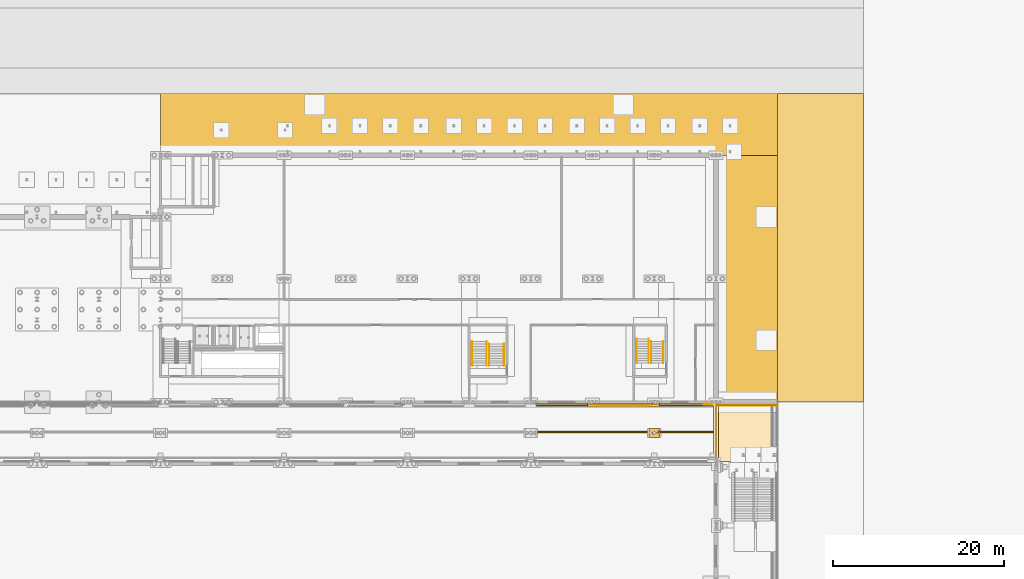
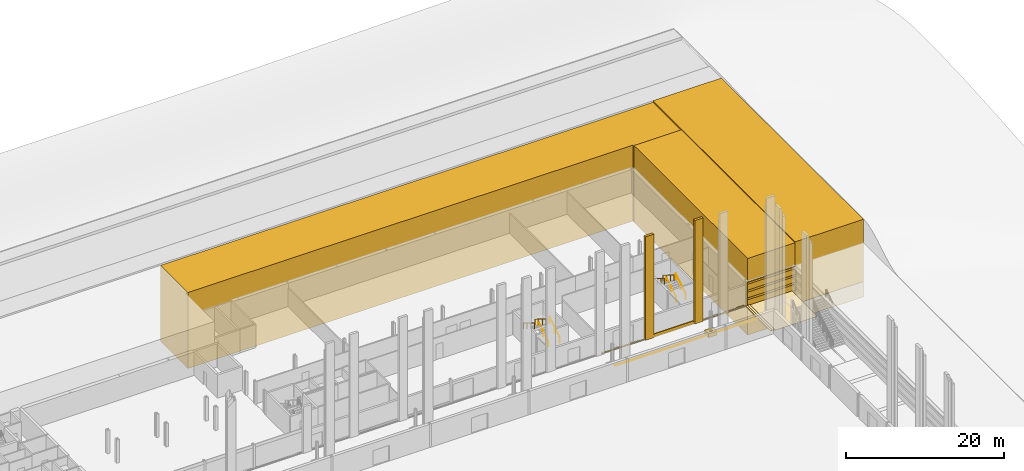
# One storey, part 143 of 148: 24 coverings, 8 railings.
"""IFC4 building model written with IfcOpenShell, lengths in metres."""

from ifc_helpers import new_model, si_unit, direction, frame, origin, origin_2d, place, context, subcontext, project, spatial, polyline, rectangle, circle, outline, extrude, material, layer, layer_set, type_object, element, save


model = new_model("IFC4")

# Units and contexts
model_context = context("Model", 3, precision=1e-05, world=origin(), true_north=direction((0.0, 1.0)))
body_context = subcontext(model_context, "Body", "Model", "MODEL_VIEW")
ifc_project = project(units=[si_unit("LENGTHUNIT", "METRE"), si_unit("AREAUNIT", "SQUARE_METRE"), si_unit("VOLUMEUNIT", "CUBIC_METRE"), si_unit("PLANEANGLEUNIT", "RADIAN"), si_unit("MASSUNIT", "GRAM", prefix="KILO")], contexts=[model_context])

# Site, building, storey
site_placement = place(None, origin())
site = spatial("IfcSite", under=ifc_project, at=site_placement, CompositionType="ELEMENT")
building_placement = place(site_placement, origin())
building = spatial("IfcBuilding", under=site, at=building_placement, Name="Kupolbacken Congress Centre", CompositionType="ELEMENT")
storey_placement = place(building_placement, origin())
storey = spatial("IfcBuildingStorey", under=building, at=storey_placement, Name="L00", CompositionType="ELEMENT", Elevation=0.0)

# Coverings
ifc_material_1 = material(Name="Limestone cladding", Category="masonry")
ifc_layer_1 = layer(ifc_material_1, 0.1201171875)
ifc_layer_set_1 = layer_set([ifc_layer_1], Name="Limestone cladding")
covering_type_1 = type_object("IfcCoveringType", Name="CV1 limestone cladding band 120", PredefinedType="CLADDING", material=ifc_layer_set_1)
covering_1_placement = place(storey_placement, frame((190.800048828125, 122.18994140625, 0.0), z_axis=(0.0, 0.0, 1.0), x_axis=(1.0, 0.0, 0.0)))
element("IfcCovering", 1, at=covering_1_placement, inside=storey, type_object=covering_type_1, Name="E/B/S/L00/014/band", PredefinedType="CLADDING", context=body_context, shape_type="SweptSolid", body=[
    extrude(rectangle(XDim=6.89990234375, YDim=0.1201171875, at=origin_2d()), origin(), (0.0, 0.0, 1.0), 0.300048828125),
])
covering_2_placement = place(storey_placement, frame((0.0, 0.0, 0.89990234375)))
element("IfcCovering", 2, at=covering_2_placement, inside=storey, type_object=covering_type_1, Name="Retaining wall facing, limestone course", PredefinedType="CLADDING", context=body_context, shape_type="SweptSolid", body=[
    extrude(outline(polyline([(201.60009765625, 121.97998046875), (201.60009765625, 122.10009765625), (208.669921875, 122.10009765625), (208.669921875, 121.97998046875), (201.60009765625, 121.97998046875)])), origin(), (0.0, 0.0, 1.0), 0.300048828125),
])
covering_3_placement = place(storey_placement, frame((0.0, 0.0, 2.10009765625)))
element("IfcCovering", 3, at=covering_3_placement, inside=storey, type_object=covering_type_1, Name="Retaining wall facing, limestone course", PredefinedType="CLADDING", context=body_context, shape_type="SweptSolid", body=[
    extrude(outline(polyline([(201.60009765625, 121.97998046875), (201.60009765625, 122.10009765625), (208.669921875, 122.10009765625), (208.669921875, 121.97998046875), (201.60009765625, 121.97998046875)])), origin(), (0.0, 0.0, 1.0), 0.2998046875),
])
covering_4_placement = place(storey_placement, frame((0.0, 0.0, 3.300048828125)))
element("IfcCovering", 4, at=covering_4_placement, inside=storey, type_object=covering_type_1, Name="Retaining wall facing, limestone course", PredefinedType="CLADDING", context=body_context, shape_type="SweptSolid", body=[
    extrude(outline(polyline([(201.60009765625, 121.97998046875), (201.60009765625, 122.10009765625), (208.669921875, 122.10009765625), (208.669921875, 121.97998046875), (201.60009765625, 121.97998046875)])), origin(), (0.0, 0.0, 1.0), 0.300048828125),
])
ifc_material_2 = material(Name="Brick cladding", Category="masonry")
ifc_layer_2 = layer(ifc_material_2, 0.10791015625)
ifc_layer_set_2 = layer_set([ifc_layer_2], Name="Brick cladding")
covering_type_2 = type_object("IfcCoveringType", Name="CV2 brick cladding band 108", PredefinedType="CLADDING", material=ifc_layer_set_2)
covering_5_placement = place(storey_placement, origin())
element("IfcCovering", 5, at=covering_5_placement, inside=storey, type_object=covering_type_2, Name="Retaining wall facing, brick course", PredefinedType="CLADDING", context=body_context, shape_type="SweptSolid", body=[
    extrude(outline(polyline([(201.60009765625, 121.991943359375), (201.60009765625, 122.10009765625), (208.669921875, 122.10009765625), (208.669921875, 121.991943359375), (201.60009765625, 121.991943359375)])), origin(), (0.0, 0.0, 1.0), 0.89990234375),
])
for number, where, name in (
    (6, (0.0, 0.0, 1.199951171875), "Retaining wall facing, brick course"),
    (7, (0.0, 0.0, 2.39990234375), "Retaining wall facing, brick course"),
):
    element("IfcCovering", number, at=place(storey_placement, frame(where)), inside=storey, type_object=covering_type_2, Name=name, PredefinedType="CLADDING", context=body_context, shape_type="SweptSolid", body=[
        extrude(outline(polyline([(201.60009765625, 121.991943359375), (201.60009765625, 122.10009765625), (208.669921875, 122.10009765625), (208.669921875, 121.991943359375), (201.60009765625, 121.991943359375)])), origin(), (0.0, 0.0, 1.0), 0.900146484375),
    ])
ifc_material_3 = material(Name="Limestone cladding", Category="masonry")
ifc_layer_3 = layer(ifc_material_3, 0.35009765625)
ifc_layer_set_3 = layer_set([ifc_layer_3], Name="Limestone cladding")
covering_type_3 = type_object("IfcCoveringType", Name="CV3 limestone pilaster strip 350", PredefinedType="CLADDING", material=ifc_layer_set_3)
for number, where, z_axis, x_axis, name in (
    (8, (187.199951171875, 121.985107421875, 0.0), (0.0, 0.0, 1.0), (1.0, 0.0, 0.0), "F/B/S/pil/07/0"),
    (9, (194.39990234375, 121.985107421875, 0.0), (0.0, 0.0, 1.0), (1.0, 0.0, 0.0), "F/B/S/pil/08/0"),
):
    element("IfcCovering", number, at=place(storey_placement, frame(where, z_axis=z_axis, x_axis=x_axis)), inside=storey, type_object=covering_type_3, Name=name, PredefinedType="CLADDING", context=body_context, shape_type="SweptSolid", body=[
        extrude(rectangle(XDim=1.199951171875, YDim=0.35009765625, at=origin_2d()), origin(), (0.0, 0.0, 1.0), 16.0),
    ])
ifc_material_4 = material(Name="Limestone cladding", Category="masonry")
ifc_layer_4 = layer(ifc_material_4, 0.60009765625)
ifc_layer_set_4 = layer_set([ifc_layer_4], Name="Limestone cladding")
covering_type_4 = type_object("IfcCoveringType", Name="CV5 limestone arcade pier 600", PredefinedType="CLADDING", material=ifc_layer_set_4)
covering_6_placement = place(storey_placement, frame((0.0, 0.0, 0.02001953125)))
element("IfcCovering", 10, at=covering_6_placement, inside=storey, type_object=covering_type_4, Name="Mast pedestal", PredefinedType="CLADDING", context=body_context, shape_type="SweptSolid", body=[
    extrude(outline(polyline([(193.800048828125, 118.300048828125), (193.800048828125, 119.300048828125), (195.0, 119.300048828125), (195.0, 118.300048828125), (193.800048828125, 118.300048828125)]), holes=[polyline([(194.602294921875, 118.82666015625), (194.596923828125, 118.852783203125), (194.58837890625, 118.8779296875), (194.57666015625, 118.902099609375), (194.561767578125, 118.924072265625), (194.544189453125, 118.944091796875), (194.524169921875, 118.9619140625), (194.501953125, 118.9765625), (194.47802734375, 118.98828125), (194.452880859375, 118.9970703125), (194.426513671875, 119.002197265625), (194.39990234375, 119.00390625), (194.373291015625, 119.002197265625), (194.34716796875, 118.9970703125), (194.322021484375, 118.98828125), (194.298095703125, 118.9765625), (194.27587890625, 118.9619140625), (194.255859375, 118.944091796875), (194.23828125, 118.924072265625), (194.223388671875, 118.902099609375), (194.211669921875, 118.8779296875), (194.202880859375, 118.852783203125), (194.19775390625, 118.82666015625), (194.196044921875, 118.800048828125), (194.19775390625, 118.7734375), (194.202880859375, 118.747314453125), (194.211669921875, 118.721923828125), (194.223388671875, 118.697998046875), (194.23828125, 118.67578125), (194.255859375, 118.65576171875), (194.27587890625, 118.63818359375), (194.298095703125, 118.623291015625), (194.322021484375, 118.611572265625), (194.34716796875, 118.60302734375), (194.373291015625, 118.597900390625), (194.39990234375, 118.59619140625), (194.426513671875, 118.597900390625), (194.452880859375, 118.60302734375), (194.47802734375, 118.611572265625), (194.501953125, 118.623291015625), (194.524169921875, 118.63818359375), (194.544189453125, 118.65576171875), (194.561767578125, 118.67578125), (194.57666015625, 118.697998046875), (194.58837890625, 118.721923828125), (194.596923828125, 118.747314453125), (194.602294921875, 118.7734375), (194.60400390625, 118.800048828125), (194.602294921875, 118.82666015625)])]), origin(), (0.0, 0.0, 1.0), 0.60009765625),
])
ifc_material_5 = material(Name="Limestone cladding", Category="masonry")
ifc_layer_5 = layer(ifc_material_5, 0.02001953125)
ifc_layer_set_5 = layer_set([ifc_layer_5], Name="Limestone cladding")
covering_type_5 = type_object("IfcCoveringType", Name="GF1 limestone paving 20", PredefinedType="FLOORING", material=ifc_layer_set_5)
covering_7_placement = place(storey_placement, origin())
element("IfcCovering", 11, at=covering_7_placement, inside=storey, type_object=covering_type_5, Name="Bay and lane marking", PredefinedType="FLOORING", context=body_context, shape_type="SweptSolid", body=[
    extrude(outline(polyline([(193.961181640625, 118.993896484375), (193.940673828125, 118.939208984375), (193.92919921875, 118.893798828125), (193.922119140625, 118.84375), (180.477783203125, 118.84375), (180.470703125, 118.893798828125), (180.45947265625, 118.939208984375), (180.438720703125, 118.993896484375), (193.961181640625, 118.993896484375)])), origin(), (0.0, 0.0, 1.0), 0.02001953125),
])
covering_8_placement = place(storey_placement, origin())
element("IfcCovering", 12, at=covering_8_placement, inside=storey, type_object=covering_type_5, Name="Bay and lane marking", PredefinedType="FLOORING", context=body_context, shape_type="SweptSolid", body=[
    extrude(outline(polyline([(201.299560546875, 118.993896484375), (201.299560546875, 118.84375), (194.8779296875, 118.84375), (194.877685546875, 118.84716796875), (194.870849609375, 118.893798828125), (194.859375, 118.939208984375), (194.843505859375, 118.983642578125), (194.838623046875, 118.993896484375), (201.299560546875, 118.993896484375)])), origin(), (0.0, 0.0, 1.0), 0.02001953125),
])
ifc_material_6 = material(Name="Brick", Category="masonry")
ifc_layer_6 = layer(ifc_material_6, 0.02001953125)
ifc_layer_set_6 = layer_set([ifc_layer_6], Name="Brick")
covering_type_6 = type_object("IfcCoveringType", Name="GF2 brick paving 20", PredefinedType="FLOORING", material=ifc_layer_set_6)
covering_9_placement = place(storey_placement, origin())
element("IfcCovering", 13, at=covering_9_placement, inside=storey, type_object=covering_type_6, Name="East strip brick paving", PredefinedType="FLOORING", context=body_context, shape_type="SweptSolid", body=[
    extrude(outline(polyline([(208.110107421875, 115.5), (201.974365234375, 115.5), (201.97119140625, 115.50439453125), (201.939453125, 115.539306640625), (201.904541015625, 115.571044921875), (201.900390625, 115.57421875), (201.900390625, 121.989990234375), (208.110107421875, 121.989990234375), (208.110107421875, 115.5)])), origin(), (0.0, 0.0, 1.0), 0.02001953125),
])
ifc_material_7 = material(Name="Asphalt", Category="masonry")
ifc_layer_7 = layer(ifc_material_7, 0.02001953125)
ifc_layer_set_7 = layer_set([ifc_layer_7], Name="Asphalt")
covering_type_7 = type_object("IfcCoveringType", Name="GF3 asphalt dock hardstanding 20", PredefinedType="FLOORING", material=ifc_layer_set_7)
covering_10_placement = place(storey_placement, origin())
element("IfcCovering", 14, at=covering_10_placement, inside=storey, type_object=covering_type_7, Name="Service lane asphalt", PredefinedType="FLOORING", context=body_context, shape_type="SweptSolid", body=[
    extrude(outline(polyline([(180.2666015625, 122.0009765625), (180.304443359375, 122.02880859375), (180.33935546875, 122.060546875), (180.37109375, 122.095458984375), (180.399169921875, 122.13330078125), (180.42333984375, 122.173583984375), (180.44482421875, 122.219970703125), (186.755126953125, 122.219970703125), (186.776611328125, 122.173583984375), (186.80078125, 122.13330078125), (186.828857421875, 122.095458984375), (186.860595703125, 122.060546875), (186.8955078125, 122.02880859375), (186.933349609375, 122.0009765625), (186.9736328125, 121.9765625), (186.93896484375, 121.99755859375), (180.260986328125, 121.99755859375), (180.226318359375, 121.9765625), (180.2666015625, 122.0009765625)])), origin(), (0.0, 0.0, 1.0), 0.02001953125),
])
covering_11_placement = place(storey_placement, origin())
element("IfcCovering", 15, at=covering_11_placement, inside=storey, type_object=covering_type_7, Name="Service lane asphalt", PredefinedType="FLOORING", context=body_context, shape_type="SweptSolid", body=[
    extrude(outline(polyline([(187.466796875, 122.0009765625), (187.50439453125, 122.02880859375), (187.539306640625, 122.060546875), (187.571044921875, 122.095458984375), (187.59521484375, 122.1279296875), (187.5859375, 122.115478515625), (187.585205078125, 122.099609375), (194.02587890625, 122.099609375), (194.060546875, 122.060546875), (194.095458984375, 122.02880859375), (194.13330078125, 122.0009765625), (194.173583984375, 121.9765625), (194.138916015625, 121.99755859375), (187.461181640625, 121.99755859375), (187.42626953125, 121.9765625), (187.466796875, 122.0009765625)])), origin(), (0.0, 0.0, 1.0), 0.02001953125),
])
covering_12_placement = place(storey_placement, origin())
element("IfcCovering", 16, at=covering_12_placement, inside=storey, type_object=covering_type_7, Name="Service lane asphalt", PredefinedType="FLOORING", context=body_context, shape_type="SweptSolid", body=[
    extrude(outline(polyline([(194.666748046875, 122.0009765625), (194.70458984375, 122.02880859375), (194.739501953125, 122.060546875), (194.77099609375, 122.095458984375), (194.799072265625, 122.13330078125), (194.823486328125, 122.173583984375), (194.8447265625, 122.219970703125), (200.191162109375, 122.219970703125), (200.1865234375, 122.12548828125), (200.1826171875, 122.099609375), (201.225830078125, 122.099609375), (201.260498046875, 122.060546875), (201.29541015625, 122.02880859375), (201.333251953125, 122.0009765625), (201.299560546875, 122.02587890625), (201.299560546875, 121.99755859375), (194.6611328125, 121.99755859375), (194.626220703125, 121.9765625), (194.666748046875, 122.0009765625)])), origin(), (0.0, 0.0, 1.0), 0.02001953125),
])
ifc_material_8 = material(Name="Granite setts", Category="masonry")
ifc_layer_8 = layer(ifc_material_8, 0.10009765625)
ifc_layer_set_8 = layer_set([ifc_layer_8], Name="Granite setts")
covering_type_8 = type_object("IfcCoveringType", Name="GR3 granite sett paving 100", PredefinedType="FLOORING", material=ifc_layer_set_8)
covering_13_placement = place(storey_placement, origin())
element("IfcCovering", 17, at=covering_13_placement, inside=storey, type_object=covering_type_8, Name="Granite kerb edging", PredefinedType="FLOORING", context=body_context, shape_type="SweptSolid", body=[
    extrude(outline(polyline([(201.597412109375, 115.679931640625), (201.552978515625, 115.677734375), (201.50634765625, 115.6708984375), (201.460693359375, 115.659423828125), (201.416259765625, 115.6435546875), (201.373779296875, 115.623291015625), (201.333251953125, 115.59912109375), (201.299560546875, 115.57421875), (201.299560546875, 122.02587890625), (201.333251953125, 122.0009765625), (201.373779296875, 121.9765625), (201.416259765625, 121.95654296875), (201.460693359375, 121.940673828125), (201.50634765625, 121.92919921875), (201.552978515625, 121.92236328125), (201.597412109375, 121.920166015625), (201.597412109375, 115.679931640625)])), origin(), (0.0, 0.0, 1.0), 0.10009765625),
])
covering_14_placement = place(storey_placement, origin())
element("IfcCovering", 18, at=covering_14_placement, inside=storey, type_object=covering_type_8, Name="Granite kerb edging", PredefinedType="FLOORING", context=body_context, shape_type="SweptSolid", body=[
    extrude(outline(polyline([(194.02587890625, 122.099609375), (187.585205078125, 122.099609375), (187.5859375, 122.115478515625), (187.59521484375, 122.1279296875), (194.0048828125, 122.1279296875), (194.02587890625, 122.099609375)])), origin(), (0.0, 0.0, 1.0), 0.10009765625),
])
covering_15_placement = place(storey_placement, origin())
element("IfcCovering", 19, at=covering_15_placement, inside=storey, type_object=covering_type_8, Name="Granite kerb edging", PredefinedType="FLOORING", context=body_context, shape_type="SweptSolid", body=[
    extrude(outline(polyline([(200.1865234375, 122.12548828125), (200.191162109375, 122.219970703125), (201.1552734375, 122.219970703125), (201.156494140625, 122.21630859375), (201.176513671875, 122.173583984375), (201.200927734375, 122.13330078125), (201.225830078125, 122.099609375), (200.1826171875, 122.099609375), (200.1865234375, 122.12548828125)])), origin(), (0.0, 0.0, 1.0), 0.10009765625),
])
covering_16_placement = place(storey_placement, origin())
element("IfcCovering", 20, at=covering_16_placement, inside=storey, type_object=covering_type_8, Name="Granite kerb edging", PredefinedType="FLOORING", context=body_context, shape_type="SweptSolid", body=[
    extrude(outline(polyline([(201.826416015625, 121.9765625), (201.8486328125, 121.989990234375), (201.900390625, 121.989990234375), (201.900390625, 115.57421875), (201.86669921875, 115.59912109375), (201.826416015625, 115.623291015625), (201.78369140625, 115.6435546875), (201.7392578125, 115.659423828125), (201.693603515625, 115.6708984375), (201.647216796875, 115.677734375), (201.6025390625, 115.679931640625), (201.6025390625, 121.920166015625), (201.647216796875, 121.92236328125), (201.693603515625, 121.92919921875), (201.7392578125, 121.940673828125), (201.78369140625, 121.95654296875), (201.826416015625, 121.9765625)])), origin(), (0.0, 0.0, 1.0), 0.10009765625),
])
ifc_material_9 = material(Name="Made ground", Category="soil")
ifc_layer_9 = layer(ifc_material_9, 2.39990234375)
ifc_layer_set_9 = layer_set([ifc_layer_9], Name="Made ground")
covering_type_9 = type_object("IfcCoveringType", Name="GR5 earthworks, made ground", PredefinedType="FLOORING", material=ifc_layer_set_9)
covering_17_placement = place(storey_placement, frame((0.0, 0.0, -4.89990234375)))
element("IfcCovering", 21, at=covering_17_placement, inside=storey, type_object=covering_type_9, Name="Earth fill under deck north, made ground", PredefinedType="FLOORING", context=body_context, shape_type="SweptSolid", body=[
    extrude(outline(polyline([(201.875, 151.199951171875), (201.875, 151.47509765625), (136.800048828125, 151.47509765625), (136.800048828125, 158.39892578125), (208.799072265625, 158.39892578125), (208.799072265625, 151.199951171875), (201.875, 151.199951171875)])), origin(), (0.0, 0.0, 1.0), 11.75),
])
covering_18_placement = place(storey_placement, frame((0.0, 0.0, -4.89990234375)))
element("IfcCovering", 22, at=covering_18_placement, inside=storey, type_object=covering_type_9, Name="Earth fill under ballroom east terrace, made ground", PredefinedType="FLOORING", context=body_context, shape_type="SweptSolid", body=[
    extrude(outline(polyline([(201.875, 122.39990234375), (201.875, 151.199951171875), (208.799072265625, 151.199951171875), (208.799072265625, 122.39990234375), (201.875, 122.39990234375)])), origin(), (0.0, 0.0, 1.0), 11.869873046875),
])
covering_19_placement = place(storey_placement, frame((0.0, 0.0, -2.5)))
element("IfcCovering", 23, at=covering_19_placement, inside=storey, type_object=covering_type_9, Name="Earthworks, east hill 122, made ground", PredefinedType="FLOORING", context=body_context, shape_type="SweptSolid", body=[
    extrude(outline(polyline([(218.800048828125, 158.39990234375), (218.800048828125, 122.39990234375), (208.800048828125, 122.39990234375), (208.800048828125, 158.39990234375), (218.800048828125, 158.39990234375)])), origin(), (0.0, 0.0, 1.0), 9.60009765625),
])
ifc_material_10 = material(Name="Clay till", Category="soil")
ifc_layer_10 = layer(ifc_material_10, 2.39990234375)
ifc_layer_set_10 = layer_set([ifc_layer_10], Name="Clay till")
covering_type_10 = type_object("IfcCoveringType", Name="GR6 earthworks, clay till", PredefinedType="FLOORING", material=ifc_layer_set_10)
covering_20_placement = place(storey_placement, frame((0.0, 0.0, -4.89990234375)))
element("IfcCovering", 24, at=covering_20_placement, inside=storey, type_object=covering_type_10, Name="Earthworks, east hill 122, clay till", PredefinedType="FLOORING", context=body_context, shape_type="SweptSolid", body=[
    extrude(outline(polyline([(218.800048828125, 158.39990234375), (218.800048828125, 122.39990234375), (208.800048828125, 122.39990234375), (208.800048828125, 158.39990234375), (218.800048828125, 158.39990234375)])), origin(), (0.0, 0.0, 1.0), 2.39990234375),
])

# Railings
ifc_material_11 = material(Name="Steel S235", Category="steel")
railing_type = type_object("IfcRailingType", Name="RL3 handrail wall-mounted 900", PredefinedType="HANDRAIL", material=ifc_material_11)
for number, where, name in (
    (25, (194.050048828125, 126.955078125, 0.17138671875), "C/stair/BS3/L00/HR1L"),
    (26, (195.449951171875, 126.955078125, 0.17138671875), "C/stair/BS3/L00/HR1R"),
):
    element("IfcRailing", number, at=place(storey_placement, frame(where)), inside=storey, type_object=railing_type, Name=name, PredefinedType="HANDRAIL", context=body_context, shape_type="SweptSolid", body=[
        extrude(circle(Radius=0.02392578125, at=origin_2d()), frame((0.0, 0.0, 0.8759765625), z_axis=(0.0, 0.852836285881, 0.522178388565), x_axis=(-1.0, 0.0, 0.0)), (0.0, 0.0, 1.0), 2.954833984375),
        extrude(circle(Radius=0.02099609375, at=origin_2d()), origin(), (0.0, 0.0, 1.0), 0.851806640625),
        extrude(circle(Radius=0.02099609375, at=origin_2d()), frame((0.0, 1.260009765625, 0.771484375)), (0.0, 0.0, 1.0), 0.851806640625),
        extrude(circle(Radius=0.02099609375, at=origin_2d()), frame((0.0, 2.52001953125, 1.54296875)), (0.0, 0.0, 1.0), 0.851806640625),
    ])
for number, where, name in (
    (27, (193.75, 129.7548828125, 1.8857421875), "C/stair/BS3/L00/HR2L"),
    (28, (192.35009765625, 129.7548828125, 1.8857421875), "C/stair/BS3/L00/HR2R"),
):
    element("IfcRailing", number, at=place(storey_placement, frame(where)), inside=storey, type_object=railing_type, Name=name, PredefinedType="HANDRAIL", context=body_context, shape_type="SweptSolid", body=[
        extrude(circle(Radius=0.02392578125, at=origin_2d()), frame((0.0, 0.0, 0.8759765625), z_axis=(0.0, -0.852825620865, 0.522195806567), x_axis=(1.0, 0.0, 0.0)), (0.0, 0.0, 1.0), 3.282958984375),
        extrude(circle(Radius=0.02099609375, at=origin_2d()), origin(), (0.0, 0.0, 1.0), 0.851806640625),
        extrude(circle(Radius=0.02099609375, at=origin_2d()), frame((0.0, -0.933349609375, 0.571533203125)), (0.0, 0.0, 1.0), 0.851806640625),
        extrude(circle(Radius=0.02099609375, at=origin_2d()), frame((0.0, -1.866455078125, 1.142822265625)), (0.0, 0.0, 1.0), 0.851806640625),
        extrude(circle(Radius=0.02099609375, at=origin_2d()), frame((0.0, -2.7998046875, 1.71435546875)), (0.0, 0.0, 1.0), 0.851806640625),
    ])
for number, where, name in (
    (29, (175.14990234375, 126.655029296875, 0.17138671875), "C/stair/BS4/L00/HR1L"),
    (30, (176.85009765625, 126.655029296875, 0.17138671875), "C/stair/BS4/L00/HR1R"),
):
    element("IfcRailing", number, at=place(storey_placement, frame(where)), inside=storey, type_object=railing_type, Name=name, PredefinedType="HANDRAIL", context=body_context, shape_type="SweptSolid", body=[
        extrude(circle(Radius=0.02392578125, at=origin_2d()), frame((0.0, 0.0, 0.8759765625), z_axis=(0.0, 0.852836285881, 0.522178388565), x_axis=(-1.0, 0.0, 0.0)), (0.0, 0.0, 1.0), 2.954833984375),
        extrude(circle(Radius=0.02099609375, at=origin_2d()), origin(), (0.0, 0.0, 1.0), 0.851806640625),
        extrude(circle(Radius=0.02099609375, at=origin_2d()), frame((0.0, 1.260009765625, 0.771484375)), (0.0, 0.0, 1.0), 0.851806640625),
        extrude(circle(Radius=0.02099609375, at=origin_2d()), frame((0.0, 2.52001953125, 1.54296875)), (0.0, 0.0, 1.0), 0.851806640625),
    ])
for number, where, name in (
    (31, (174.85009765625, 129.455078125, 1.8857421875), "C/stair/BS4/L00/HR2L"),
    (32, (173.14990234375, 129.455078125, 1.8857421875), "C/stair/BS4/L00/HR2R"),
):
    element("IfcRailing", number, at=place(storey_placement, frame(where)), inside=storey, type_object=railing_type, Name=name, PredefinedType="HANDRAIL", context=body_context, shape_type="SweptSolid", body=[
        extrude(circle(Radius=0.02392578125, at=origin_2d()), frame((0.0, 0.0, 0.8759765625), z_axis=(0.0, -0.852845897599, 0.522162690116), x_axis=(1.0, 0.0, 0.0)), (0.0, 0.0, 1.0), 3.283203125),
        extrude(circle(Radius=0.02099609375, at=origin_2d()), origin(), (0.0, 0.0, 1.0), 0.851806640625),
        extrude(circle(Radius=0.02099609375, at=origin_2d()), frame((0.0, -0.933349609375, 0.571533203125)), (0.0, 0.0, 1.0), 0.851806640625),
        extrude(circle(Radius=0.02099609375, at=origin_2d()), frame((0.0, -1.86669921875, 1.142822265625)), (0.0, 0.0, 1.0), 0.851806640625),
        extrude(circle(Radius=0.02099609375, at=origin_2d()), frame((0.0, -2.800048828125, 1.71435546875)), (0.0, 0.0, 1.0), 0.851806640625),
    ])

save(model, "model.ifc")
